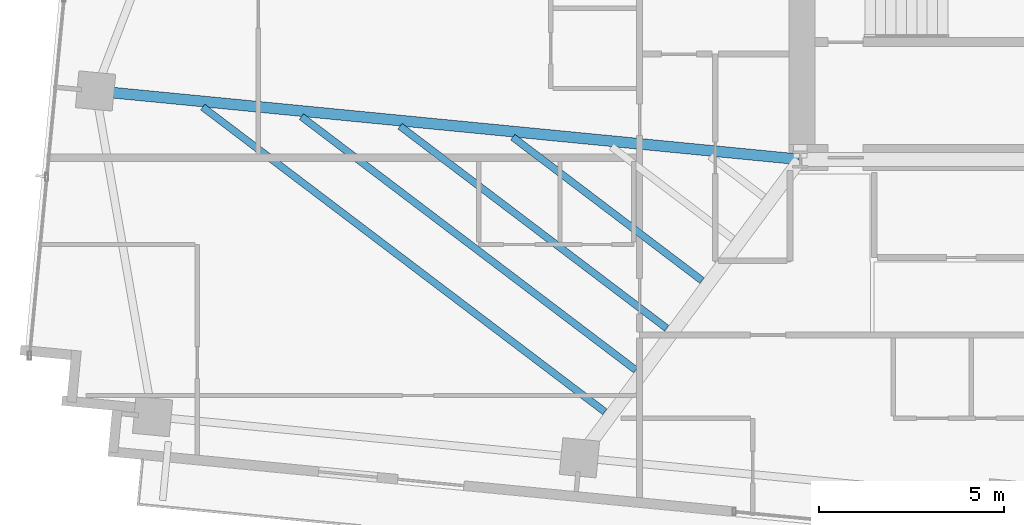
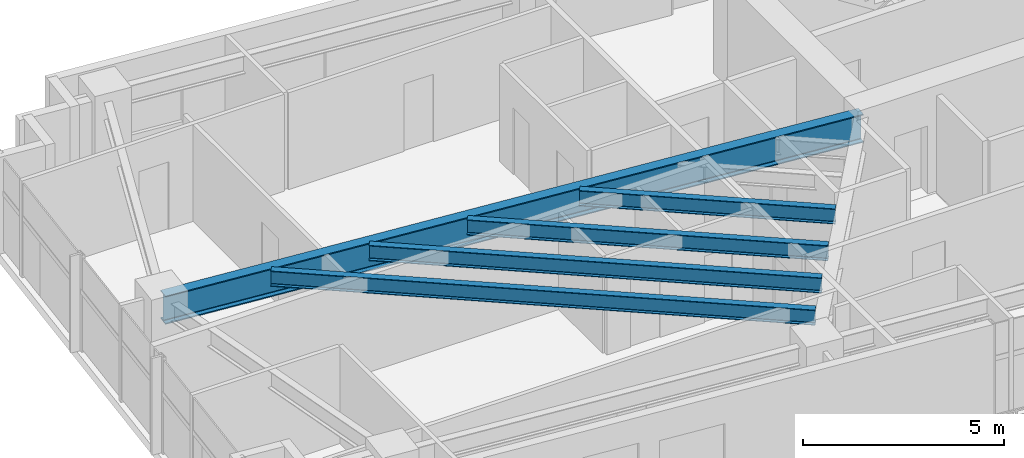
# One storey, part 3 of 20: 5 beams.
"""IFC4 building model written with IfcOpenShell, lengths in metres."""

import ifcopenshell
import ifcopenshell.guid

model = None  # the IFC model being written
_history = None  # IfcOwnerHistory: only IFC2X3 demands one
_inside = {}  # id of a spatial element -> (the spatial element, [elements in it])
_under = {}  # id of a project, library or spatial element -> (it, [spatial elements below it])
_declared = {}  # id of a project -> (the project, [libraries it declares])
_typed = {}  # id of a type object -> (the type object, [elements of that type])
_made_of = {}  # id of a material, layer set ... -> (it, [elements and type objects made of it])


def new_model(schema):
    """Start an empty IFC model of exactly this schema.

    Asked for "IFC4X3", IfcOpenShell would pick the latest addendum, in which some entities
    have other attributes; the version numbers below select the first issue.
    IFC2X3 requires an IfcOwnerHistory on every rooted entity: one is made here for all.
    """
    global model, _history
    if schema == "IFC4X3":
        model = ifcopenshell.file(schema_version=(4, 3, 0, 0))
    else:
        model = ifcopenshell.file(schema=schema)
    _inside.clear()
    _under.clear()
    _declared.clear()
    _typed.clear()
    _made_of.clear()
    _history = None
    if model.schema == "IFC2X3":
        org = make("IfcOrganization", Name="unknown")
        user = make(
            "IfcPersonAndOrganization",
            ThePerson=make("IfcPerson", FamilyName="unknown"),
            TheOrganization=org,
        )
        app = make(
            "IfcApplication",
            ApplicationDeveloper=org,
            Version="unknown",
            ApplicationFullName="unknown",
            ApplicationIdentifier="unknown",
        )
        _history = make(
            "IfcOwnerHistory",
            OwningUser=user,
            OwningApplication=app,
            ChangeAction="ADDED",
            CreationDate=0,
        )
    return model


def make(cls, **values):
    """One entity of the class cls with the attributes given. An attribute that is None is left unset."""
    return model.create_entity(
        cls, **{name: value for name, value in values.items() if value is not None}
    )


def rooted(cls, **values):
    """An entity with a GlobalId (a new one), such as an element, a storey or a relation."""
    return make(cls, GlobalId=ifcopenshell.guid.new(), OwnerHistory=_history, **values)


def si_unit(unit_type, name, prefix=None):
    """IfcSIUnit, for example si_unit("LENGTHUNIT", "METRE", prefix="MILLI")."""
    return make("IfcSIUnit", UnitType=unit_type, Prefix=prefix, Name=name)


def assignment(units):
    """IfcUnitAssignment: the units of a project."""
    return None if units is None else make("IfcUnitAssignment", Units=units)


def point(xyz):
    """IfcCartesianPoint."""
    return None if xyz is None else make("IfcCartesianPoint", Coordinates=xyz)


def direction(xyz):
    """IfcDirection."""
    return None if xyz is None else make("IfcDirection", DirectionRatios=xyz)


def frame(location, z_axis=None, x_axis=None):
    """IfcAxis2Placement3D, a coordinate frame: its origin and axes. An axis left out is left unset."""
    return make(
        "IfcAxis2Placement3D",
        Location=point(location),
        Axis=direction(z_axis),
        RefDirection=direction(x_axis),
    )


def frame_2d(location, x_axis=None):
    """IfcAxis2Placement2D, a coordinate frame in the plane: its origin and x axis."""
    return make(
        "IfcAxis2Placement2D", Location=point(location), RefDirection=direction(x_axis)
    )


def origin():
    """The frame at (0, 0, 0) with its axes left unset."""
    return frame((0.0, 0.0, 0.0))


def origin_2d():
    """The frame at (0, 0) in the plane with its x axis left unset."""
    return frame_2d((0.0, 0.0))


def place(relative_to, where):
    """IfcLocalPlacement: puts the frame where relative to a parent placement (None: the world)."""
    return make(
        "IfcLocalPlacement", PlacementRelTo=relative_to, RelativePlacement=where
    )


def context(
    kind, dimensions, precision=None, world=None, true_north=None, identifier=None
):
    """IfcGeometricRepresentationContext, for example the 3D "Model" context."""
    return make(
        "IfcGeometricRepresentationContext",
        ContextIdentifier=identifier,
        ContextType=kind,
        CoordinateSpaceDimension=dimensions,
        Precision=precision,
        WorldCoordinateSystem=world,
        TrueNorth=true_north,
    )


def subcontext(parent, identifier, kind, view, scale=None):
    """IfcGeometricRepresentationSubContext, for example "Body" below "Model"."""
    return make(
        "IfcGeometricRepresentationSubContext",
        ContextIdentifier=identifier,
        ContextType=kind,
        ParentContext=parent,
        TargetScale=scale,
        TargetView=view,
    )


def project(units=None, contexts=None):
    """IfcProject with its units and contexts."""
    return rooted(
        "IfcProject",
        Name="project",
        RepresentationContexts=contexts,
        UnitsInContext=assignment(units),
    )


def spatial(cls, under=None, at=None, **own):
    """A site, building, storey or space (cls), placed at a placement, below another one or the project."""
    s = rooted(cls, ObjectPlacement=at, **own)
    if under is not None:
        _under.setdefault(under.id(), (under, []))[1].append(s)
    return s


def profile(cls, at=None, kind="AREA", **sizes):
    """A parametric profile (cls). Its sizes go by their IFC names, for example OverallWidth=200.0."""
    return make(cls, ProfileType=kind, Position=at, **sizes)


def i_section(**sizes):
    """IfcIShapeProfileDef."""
    return profile("IfcIShapeProfileDef", **sizes)


def extrude(swept, where, along, depth):
    """IfcExtrudedAreaSolid: the profile swept, set in the frame where, extruded along a direction by depth."""
    return make(
        "IfcExtrudedAreaSolid",
        SweptArea=swept,
        Position=where,
        ExtrudedDirection=direction(along),
        Depth=depth,
    )


def shape(context_of_items, identifier, shape_type, items):
    """IfcShapeRepresentation: the items that make up one representation, for example the "Body"."""
    return make(
        "IfcShapeRepresentation",
        ContextOfItems=context_of_items,
        RepresentationIdentifier=identifier,
        RepresentationType=shape_type,
        Items=items,
    )


def source(mapping_origin, context_of_items, identifier, shape_type, items):
    """IfcRepresentationMap: a shape defined once, which mapped items show again and again."""
    return make(
        "IfcRepresentationMap",
        MappingOrigin=mapping_origin,
        MappedRepresentation=shape(context_of_items, identifier, shape_type, items),
    )


def transform(
    local_origin,
    x_axis=None,
    y_axis=None,
    z_axis=None,
    scale=None,
    scale2=None,
    scale3=None,
    uniform=True,
):
    """IfcCartesianTransformationOperator3D, or its non-uniform kind. x_axis, y_axis, z_axis: its Axis1, 2, 3."""
    if uniform:
        return make(
            "IfcCartesianTransformationOperator3D",
            Axis1=direction(x_axis),
            Axis2=direction(y_axis),
            LocalOrigin=point(local_origin),
            Scale=scale,
            Axis3=direction(z_axis),
        )
    return make(
        "IfcCartesianTransformationOperator3DnonUniform",
        Axis1=direction(x_axis),
        Axis2=direction(y_axis),
        LocalOrigin=point(local_origin),
        Scale=scale,
        Axis3=direction(z_axis),
        Scale2=scale2,
        Scale3=scale3,
    )


def mapped(mapping_source, mapping_target):
    """IfcMappedItem: shows the shape of a source again, moved by a transform."""
    return make(
        "IfcMappedItem", MappingSource=mapping_source, MappingTarget=mapping_target
    )


def material(Name=None, Category=None):
    """IfcMaterial."""
    return make("IfcMaterial", Name=Name, Category=Category)


def material_profile(
    of_material, cross_section, Name=None, Category=None, Priority=None
):
    """IfcMaterialProfile: a cross section and its material."""
    return make(
        "IfcMaterialProfile",
        Name=Name,
        Material=of_material,
        Profile=cross_section,
        Priority=Priority,
        Category=Category,
    )


def profile_set(profiles, Name=None, composite=None):
    """IfcMaterialProfileSet."""
    return make(
        "IfcMaterialProfileSet",
        Name=Name,
        MaterialProfiles=profiles,
        CompositeProfile=composite,
    )


def made_of(thing, what):
    """Note that an element or type object is made of a material, layer set ...; save() writes the relation."""
    if what is not None:
        _made_of.setdefault(what.id(), (what, []))[1].append(thing)
    return thing


def type_object(cls, material=None, **own):
    """A type object (cls), such as IfcWallType, which elements share."""
    return made_of(rooted(cls, **own), material)


def type_shapes(of_type, sources):
    """Give a type object the sources (RepresentationMaps) that its elements show as mapped items."""
    of_type.RepresentationMaps = sources


def element(
    cls,
    number,
    at=None,
    inside=None,
    cuts=None,
    type_object=None,
    material=None,
    context=None,
    identifier="Body",
    shape_type=None,
    held_by="IfcProductDefinitionShape",
    body=None,
    shapes=None,
    **own,
):
    """One element of the class cls, such as IfcWall. Its Tag is "e" and its number.

    at: its placement. inside: the storey or other place that contains it. cuts: it is an
    opening in that element (IfcRelVoidsElement). A single representation is given by context,
    identifier, shape_type and body (its items); several are given by shapes. held_by: the class
    of the entity that holds the representations. save() writes the other relations.
    """
    e = rooted(cls, Tag="e%d" % number, ObjectPlacement=at, **own)
    if body is not None:
        shapes = [shape(context, identifier, shape_type, body)]
    if shapes is not None:
        e.Representation = make(held_by, Representations=shapes)
    if inside is not None:
        _inside.setdefault(inside.id(), (inside, []))[1].append(e)
    if cuts is not None:
        rooted(
            "IfcRelVoidsElement", RelatingBuildingElement=cuts, RelatedOpeningElement=e
        )
    if type_object is not None:
        _typed.setdefault(type_object.id(), (type_object, []))[1].append(e)
    return made_of(e, material)


def aggregate(whole, parts):
    """IfcRelAggregates: a whole, such as a stair, and the parts it consists of."""
    return rooted("IfcRelAggregates", RelatingObject=whole, RelatedObjects=parts)


def save(model, path):
    """Write the relations noted so far, then the file.

    IfcRelAggregates (storeys below a building ...), IfcRelContainedInSpatialStructure (elements
    in a storey), IfcRelDefinesByType, IfcRelAssociatesMaterial and IfcRelDeclares: one each for
    every whole, place, type object, material and project.
    """
    for whole, parts in _under.values():
        aggregate(whole, parts)
    for where, things in _inside.values():
        rooted(
            "IfcRelContainedInSpatialStructure",
            RelatedElements=things,
            RelatingStructure=where,
        )
    for kind, things in _typed.values():
        rooted("IfcRelDefinesByType", RelatedObjects=things, RelatingType=kind)
    for what, things in _made_of.values():
        rooted("IfcRelAssociatesMaterial", RelatedObjects=things, RelatingMaterial=what)
    for by, libraries in _declared.values():
        rooted("IfcRelDeclares", RelatingContext=by, RelatedDefinitions=libraries)
    model.write(path)


model = new_model("IFC4")

# Units and contexts
model_context = context("Model", 3, precision=1e-05, world=origin(), true_north=direction((0.0, 1.0)))
body_context = subcontext(model_context, "Body", "Model", "MODEL_VIEW")
ifc_project = project(units=[si_unit("LENGTHUNIT", "METRE"), si_unit("AREAUNIT", "SQUARE_METRE"), si_unit("VOLUMEUNIT", "CUBIC_METRE"), si_unit("PLANEANGLEUNIT", "RADIAN"), si_unit("MASSUNIT", "GRAM", prefix="KILO")], contexts=[model_context])

# Site, building, storey
site_placement = place(None, origin())
site = spatial("IfcSite", under=ifc_project, at=site_placement, CompositionType="ELEMENT")
building_placement = place(site_placement, origin())
building = spatial("IfcBuilding", under=site, at=building_placement, Name="Astriad Promenade Condominiums", CompositionType="ELEMENT")
storey_placement = place(building_placement, frame((0.0, 0.0, 137.39990234375)))
storey = spatial("IfcBuildingStorey", under=building, at=storey_placement, Name="L39", CompositionType="ELEMENT", Elevation=137.39990234375)

# Beams
ifc_material = material(Name="Steel ASTM A992 Grade 50", Category="steel")
ifc_material_profile_1 = material_profile(ifc_material, i_section(OverallWidth=0.2919921875, OverallDepth=0.85888671875, WebThickness=0.01708984375, FlangeThickness=0.031005859375, FilletRadius=0.02294921875, at=origin_2d()), Name="W33X169")
ifc_profile_set_1 = profile_set([ifc_material_profile_1], Name="Steel ASTM A992 Grade 50")
beam_type_1 = type_object("IfcBeamType", Name="STEEL PRIMARY GIRDER W33X169", PredefinedType="BEAM", material=ifc_profile_set_1)
shared_shape_1 = source(origin(), body_context, "Body", "SweptSolid", [
    extrude(i_section(OverallWidth=0.2919921875, OverallDepth=0.85888671875, WebThickness=0.01708984375, FlangeThickness=0.031005859375, FilletRadius=0.02294921875, at=origin_2d()), origin(), (0.0, 0.0, 1.0), 19.07177734375),
])
type_shapes(beam_type_1, [shared_shape_1])
beam_1_placement = place(storey_placement, frame((7.377685546875, 19.247802734375, 2.510498046875), z_axis=(0.995314830032, -0.096687068001, 0.0), x_axis=(0.096687068001, 0.995314830032, 0.0)))
element("IfcBeam", 1, at=beam_1_placement, inside=storey, type_object=beam_type_1, Name="Primary Floor Girder PG-WM-L39", PredefinedType="BEAM", context=body_context, shape_type="MappedRepresentation", body=[
    mapped(shared_shape_1, transform((0.0, 0.0, 0.0), scale=1.0)),
])
ifc_material_profile_2 = material_profile(ifc_material, i_section(OverallWidth=0.19287109375, OverallDepth=0.466064453125, WebThickness=0.011474609375, FlangeThickness=0.01904296875, FilletRadius=0.01513671875, at=origin_2d()), Name="W18X65")
ifc_profile_set_2 = profile_set([ifc_material_profile_2], Name="Steel ASTM A992 Grade 50")
beam_type_2 = type_object("IfcBeamType", Name="STEEL FLOOR JOIST W18X65", PredefinedType="JOIST", material=ifc_profile_set_2)
shared_shape_2 = source(origin(), body_context, "Body", "SweptSolid", [
    extrude(i_section(OverallWidth=0.19287109375, OverallDepth=0.466064453125, WebThickness=0.011474609375, FlangeThickness=0.01904296875, FilletRadius=0.01513671875, at=origin_2d()), origin(), (0.0, 0.0, 1.0), 13.64697265625),
])
beam_2_placement = place(storey_placement, frame((10.236572265625, 18.818115234375, 2.70703125), z_axis=(0.796973667543, -0.604014050534, 0.0), x_axis=(0.604014050534, 0.796973667543, 0.0)))
element("IfcBeam", 2, at=beam_2_placement, inside=storey, type_object=beam_type_2, Name="Secondary Composite Floor Joist JW1-1-L39", PredefinedType="JOIST", context=body_context, shape_type="MappedRepresentation", body=[
    mapped(shared_shape_2, transform((0.0, 0.0, 0.0), scale=1.0)),
])
shared_shape_3 = source(origin(), body_context, "Body", "SweptSolid", [
    extrude(i_section(OverallWidth=0.19287109375, OverallDepth=0.466064453125, WebThickness=0.011474609375, FlangeThickness=0.01904296875, FilletRadius=0.01513671875, at=origin_2d()), origin(), (0.0, 0.0, 1.0), 11.347412109375),
])
beam_3_placement = place(storey_placement, frame((12.9052734375, 18.558837890625, 2.70703125), z_axis=(0.796976964849, -0.60400969984, 0.0), x_axis=(0.60400969984, 0.796976964849, 0.0)))
element("IfcBeam", 3, at=beam_3_placement, inside=storey, type_object=beam_type_2, Name="Secondary Composite Floor Joist JW1-2-L39", PredefinedType="JOIST", context=body_context, shape_type="MappedRepresentation", body=[
    mapped(shared_shape_3, transform((0.0, 0.0, 0.0), scale=1.0)),
])
shared_shape_4 = source(origin(), body_context, "Body", "SweptSolid", [
    extrude(i_section(OverallWidth=0.19287109375, OverallDepth=0.466064453125, WebThickness=0.011474609375, FlangeThickness=0.01904296875, FilletRadius=0.01513671875, at=origin_2d()), origin(), (0.0, 0.0, 1.0), 9.048095703125),
])
beam_4_placement = place(storey_placement, frame((15.573974609375, 18.299560546875, 2.70703125), z_axis=(0.796981937997, -0.604003137829, 0.0), x_axis=(0.604003137829, 0.796981937997, 0.0)))
element("IfcBeam", 4, at=beam_4_placement, inside=storey, type_object=beam_type_2, Name="Secondary Composite Floor Joist JW1-3-L39", PredefinedType="JOIST", context=body_context, shape_type="MappedRepresentation", body=[
    mapped(shared_shape_4, transform((0.0, 0.0, 0.0), scale=1.0)),
])
shared_shape_5 = source(origin(), body_context, "Body", "SweptSolid", [
    extrude(i_section(OverallWidth=0.19287109375, OverallDepth=0.466064453125, WebThickness=0.011474609375, FlangeThickness=0.01904296875, FilletRadius=0.01513671875, at=origin_2d()), origin(), (0.0, 0.0, 1.0), 6.420654296875),
])
type_shapes(beam_type_2, [shared_shape_2, shared_shape_3, shared_shape_4, shared_shape_5])
beam_5_placement = place(storey_placement, frame((18.6240234375, 18.00341796875, 2.70703125), z_axis=(0.796964567146, -0.604026057976, 0.0), x_axis=(0.604026057976, 0.796964567146, 0.0)))
element("IfcBeam", 5, at=beam_5_placement, inside=storey, type_object=beam_type_2, Name="Secondary Composite Floor Joist JW1-4-L39", PredefinedType="JOIST", context=body_context, shape_type="MappedRepresentation", body=[
    mapped(shared_shape_5, transform((0.0, 0.0, 0.0), scale=1.0)),
])

save(model, "model.ifc")
